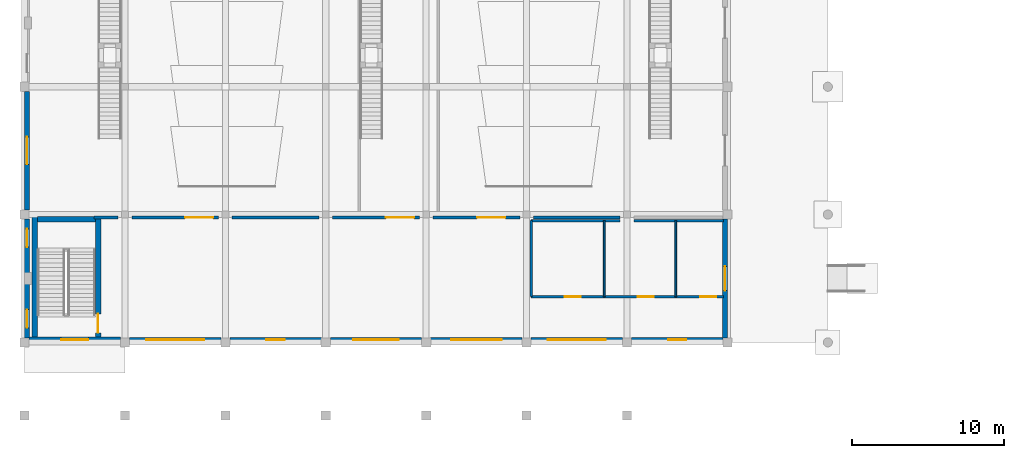
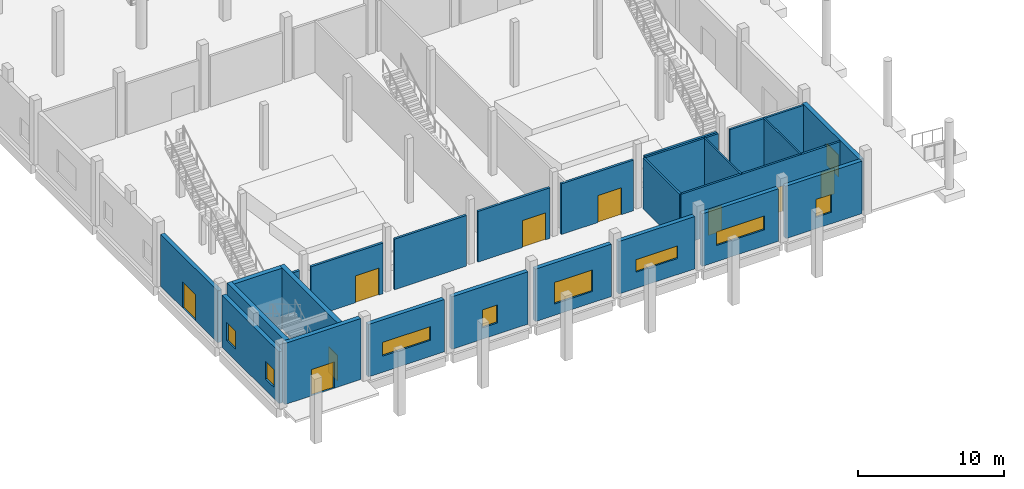
# One storey, part 40 of 64: 25 walls, 9 doors, 9 windows, 18 openings.
"""IFC4 building model written with IfcOpenShell, lengths in metres."""

from ifc_helpers import new_model, si_unit, direction, frame, frame_2d, origin, place, context, subcontext, project, spatial, rectangle, extrude, material, layer, layer_set, type_object, element, fill, save


model = new_model("IFC4")

# Units and contexts
model_context = context("Model", 3, precision=1e-05, world=origin(), true_north=direction((0.0, 1.0)))
body_context = subcontext(model_context, "Body", "Model", "MODEL_VIEW")
ifc_project = project(units=[si_unit("LENGTHUNIT", "METRE"), si_unit("AREAUNIT", "SQUARE_METRE"), si_unit("VOLUMEUNIT", "CUBIC_METRE"), si_unit("PLANEANGLEUNIT", "RADIAN"), si_unit("MASSUNIT", "GRAM", prefix="KILO")], contexts=[model_context])

# Site, building, storey
site_placement = place(None, origin())
site = spatial("IfcSite", under=ifc_project, at=site_placement, CompositionType="ELEMENT")
building_placement = place(site_placement, origin())
building = spatial("IfcBuilding", under=site, at=building_placement, Name="Qaldarim Faculty of Natural and Applied Sciences", CompositionType="ELEMENT")
storey_placement = place(building_placement, origin())
storey = spatial("IfcBuildingStorey", under=building, at=storey_placement, Name="L00", CompositionType="ELEMENT", Elevation=0.0)

# Walls
ifc_material_1 = material(Name="Painted gypsum partition board")
ifc_layer_1 = layer(ifc_material_1, 0.1201171875)
ifc_layer_set_1 = layer_set([ifc_layer_1], Name="Painted gypsum partition board")
wall_type_1 = type_object("IfcWallType", Name="AcousticPartition-120", PredefinedType="PARTITIONING", material=ifc_layer_set_1)
for number, where, z_axis, x_axis, name in (
    (1, (38.10009765625, 19.800048828125, 0.0), (0.0, 0.0, 1.0), (0.0, 1.0, 0.0), "Interior partition PRT-L00-V1-WCD1"),
    (2, (42.800048828125, 19.800048828125, 0.0), (0.0, 0.0, 1.0), (0.0, 1.0, 0.0), "Interior partition PRT-L00-V1-WCD2"),
):
    element("IfcWall", number, at=place(storey_placement, frame(where, z_axis=z_axis, x_axis=x_axis)), inside=storey, type_object=wall_type_1, Name=name, PredefinedType="PARTITIONING", context=body_context, shape_type="SweptSolid", body=[
        extrude(rectangle(XDim=5.0, YDim=0.1201171875, at=frame_2d((2.5, 0.0))), origin(), (0.0, 0.0, 1.0), 4.25),
    ])
ifc_material_2 = material(Name="Concrete C50/60", Category="concrete")
ifc_layer_2 = layer(ifc_material_2, 0.360107421875)
ifc_layer_set_2 = layer_set([ifc_layer_2], Name="Concrete C50/60")
wall_type_2 = type_object("IfcWallType", Name="CoreShearWall-360", PredefinedType="SHEAR", material=ifc_layer_set_2)
wall_1_placement = place(storey_placement, frame((0.669921875, 16.969970703125, 0.0), z_axis=(0.0, 0.0, 1.0), x_axis=(0.0, 1.0, 0.0)))
element("IfcWall", 3, at=wall_1_placement, inside=storey, type_object=wall_type_2, Name="Core stair ST-D1 west shear wall L00", PredefinedType="SHEAR", context=body_context, shape_type="SweptSolid", body=[
    extrude(rectangle(XDim=8.090087890625, YDim=0.360107421875, at=frame_2d((4.044921875, 0.0))), origin(), (0.0, 0.0, 1.0), 5.10009765625),
])

# Wall, opening, door
wall_2_placement = place(storey_placement, frame((4.830078125, 16.969970703125, 0.0), z_axis=(0.0, 0.0, 1.0), x_axis=(0.0, 1.0, 0.0)))
wall_2 = element("IfcWall", 4, at=wall_2_placement, inside=storey, type_object=wall_type_2, Name="Core stair ST-D1 east shear wall L00", PredefinedType="SHEAR", context=body_context, shape_type="SweptSolid", body=[
    extrude(rectangle(XDim=8.090087890625, YDim=0.360107421875, at=frame_2d((4.044921875, 0.0))), origin(), (0.0, 0.0, 1.0), 5.10009765625),
])
opening_1_placement = place(wall_2_placement, frame((0.449951171875, 0.0, 0.0)))
opening_1 = element("IfcOpeningElement", 5, at=opening_1_placement, cuts=wall_2, Name="Opening ID04", PredefinedType="OPENING", context=body_context, shape_type="SweptSolid", body=[
    extrude(rectangle(XDim=1.25, YDim=2.14990234375, at=frame_2d((0.625, 1.074951171875))), frame((0.0, 0.18994140625, 0.0), z_axis=(0.0, -1.0, 0.0), x_axis=(1.0, 0.0, 0.0)), (0.0, 0.0, 1.0), 0.380126953125),
])
ifc_material_3 = material(Name="Architectural stainless steel 316", Category="steel")
door_type_1 = type_object("IfcDoorType", Name="StairEnclosureFireDoor-1250x2150", OperationType="NOTDEFINED", PredefinedType="DOOR", material=ifc_material_3)
door_1_placement = place(opening_1_placement, origin())
door_1 = element("IfcDoor", 6, at=door_1_placement, inside=storey, type_object=door_type_1, Name="Protected stair ST-D1 fire door D-L00-549", OperationType="SINGLE_SWING_RIGHT", OverallHeight=2.14990234375, OverallWidth=1.25, PredefinedType="DOOR", context=body_context, shape_type="SweptSolid", body=[
    extrude(rectangle(XDim=1.25, YDim=2.14990234375, at=frame_2d((0.625, 1.074951171875))), frame((0.0, 0.02490234375, 0.0), z_axis=(0.0, -1.0, 0.0), x_axis=(1.0, 0.0, 0.0)), (0.0, 0.0, 1.0), 0.050048828125),
])
fill(opening_1, door_1)

# Wall
wall_3_placement = place(storey_placement, frame((0.85009765625, 24.8798828125, 0.0), z_axis=(0.0, 0.0, 1.0), x_axis=(1.0, 0.0, 0.0)))
element("IfcWall", 7, at=wall_3_placement, inside=storey, type_object=wall_type_2, Name="Core stair ST-D1 north shear wall L00", PredefinedType="SHEAR", context=body_context, shape_type="SweptSolid", body=[
    extrude(rectangle(XDim=3.7998046875, YDim=0.360107421875, at=frame_2d((1.89990234375, 0.0))), origin(), (0.0, 0.0, 1.0), 5.10009765625),
])

# Wall, openings, windows
ifc_material_4 = material(Name="Precast concrete C40/50", Category="concrete")
ifc_layer_3 = layer(ifc_material_4, 0.320068359375)
ifc_layer_set_3 = layer_set([ifc_layer_3], Name="Precast concrete C40/50")
wall_type_3 = type_object("IfcWallType", Name="ExteriorLimestoneWall-320", PredefinedType="SOLIDWALL", material=ifc_layer_set_3)
wall_4_placement = place(storey_placement, frame((0.159912109375, 24.905029296875, 0.0), z_axis=(0.0, 0.0, 1.0), x_axis=(0.0, -1.0, 0.0)))
wall_4 = element("IfcWall", 8, at=wall_4_placement, inside=storey, type_object=wall_type_3, Name="Exterior wall EW01 L00 W X01Y03", PredefinedType="SOLIDWALL", context=body_context, shape_type="SweptSolid", body=[
    extrude(rectangle(XDim=7.81005859375, YDim=0.320068359375, at=frame_2d((3.905029296875, 0.0))), origin(), (0.0, 0.0, 1.0), 4.3349609375),
])
opening_2_placement = place(wall_4_placement, frame((0.64990234375, 0.0, 0.949951171875)))
opening_2 = element("IfcOpeningElement", 9, at=opening_2_placement, cuts=wall_4, Name="Opening WN01", PredefinedType="OPENING", context=body_context, shape_type="SweptSolid", body=[
    extrude(rectangle(XDim=1.199951171875, YDim=1.5, at=frame_2d((0.60009765625, 0.75))), frame((0.0, 0.169921875, 0.0), z_axis=(0.0, -1.0, 0.0), x_axis=(1.0, 0.0, 0.0)), (0.0, 0.0, 1.0), 0.340087890625),
])
opening_3_placement = place(wall_4_placement, frame((5.9599609375, 0.0, 0.949951171875)))
opening_3 = element("IfcOpeningElement", 10, at=opening_3_placement, cuts=wall_4, Name="Opening WN01", PredefinedType="OPENING", context=body_context, shape_type="SweptSolid", body=[
    extrude(rectangle(XDim=1.199951171875, YDim=1.5, at=frame_2d((0.60009765625, 0.75))), frame((0.0, 0.169921875, 0.0), z_axis=(0.0, -1.0, 0.0), x_axis=(1.0, 0.0, 0.0)), (0.0, 0.0, 1.0), 0.340087890625),
])
ifc_material_5 = material(Name="Insulated low-e double glazing", Category="glass")
window_type_1 = type_object("IfcWindowType", Name="Window-1200x1500", PartitioningType="SINGLE_PANEL", PredefinedType="WINDOW", material=ifc_material_5)
window_1_placement = place(opening_2_placement, origin())
window_1 = element("IfcWindow", 11, at=window_1_placement, inside=storey, type_object=window_type_1, Name="Pilaster-bay flanking window L00 W X01Y03-1", OverallHeight=1.5, OverallWidth=1.199951171875, PartitioningType="SINGLE_PANEL", PredefinedType="WINDOW", context=body_context, shape_type="SweptSolid", body=[
    extrude(rectangle(XDim=1.199951171875, YDim=1.5, at=frame_2d((0.60009765625, 0.75))), frame((0.0, 0.030029296875, 0.0), z_axis=(0.0, -1.0, 0.0), x_axis=(1.0, 0.0, 0.0)), (0.0, 0.0, 1.0), 0.06005859375),
])
fill(opening_2, window_1)
window_2_placement = place(opening_3_placement, origin())
window_2 = element("IfcWindow", 12, at=window_2_placement, inside=storey, type_object=window_type_1, Name="Pilaster-bay flanking window L00 W X01Y03-2", OverallHeight=1.5, OverallWidth=1.199951171875, PartitioningType="SINGLE_PANEL", PredefinedType="WINDOW", context=body_context, shape_type="SweptSolid", body=[
    extrude(rectangle(XDim=1.199951171875, YDim=1.5, at=frame_2d((0.60009765625, 0.75))), frame((0.0, 0.030029296875, 0.0), z_axis=(0.0, -1.0, 0.0), x_axis=(1.0, 0.0, 0.0)), (0.0, 0.0, 1.0), 0.06005859375),
])
fill(opening_3, window_2)

# Wall, opening, door
wall_5_placement = place(storey_placement, frame((0.159912109375, 33.304931640625, 0.0), z_axis=(0.0, 0.0, 1.0), x_axis=(0.0, -1.0, 0.0)))
wall_5 = element("IfcWall", 13, at=wall_5_placement, inside=storey, type_object=wall_type_3, Name="Exterior wall EW01 L00 W X01Y04", PredefinedType="SOLIDWALL", context=body_context, shape_type="SweptSolid", body=[
    extrude(rectangle(XDim=7.809814453125, YDim=0.320068359375, at=frame_2d((3.90478515625, 0.0))), origin(), (0.0, 0.0, 1.0), 4.3349609375),
])
opening_4_placement = place(wall_5_placement, frame((3.0048828125, 0.0, 0.0)))
opening_4 = element("IfcOpeningElement", 14, at=opening_4_placement, cuts=wall_5, Name="Opening ED04", PredefinedType="OPENING", context=body_context, shape_type="SweptSolid", body=[
    extrude(rectangle(XDim=1.800048828125, YDim=2.199951171875, at=frame_2d((0.89990234375, 1.10009765625))), frame((0.0, 0.169921875, 0.0), z_axis=(0.0, -1.0, 0.0), x_axis=(1.0, 0.0, 0.0)), (0.0, 0.0, 1.0), 0.340087890625),
])
door_type_2 = type_object("IfcDoorType", Name="FinalExitDoubleDoor-1800x2200", OperationType="NOTDEFINED", PredefinedType="DOOR", material=ifc_material_3)
door_2_placement = place(opening_4_placement, frame((1.800048828125, 0.0, 0.0), z_axis=(0.0, 0.0, 1.0), x_axis=(-1.0, 0.0, 0.0)))
door_2 = element("IfcDoor", 15, at=door_2_placement, inside=storey, type_object=door_type_2, Name="Exterior entrance/exit door D-L00-002", OperationType="DOUBLE_DOOR_SINGLE_SWING", OverallHeight=2.199951171875, OverallWidth=1.800048828125, PredefinedType="DOOR", context=body_context, shape_type="SweptSolid", body=[
    extrude(rectangle(XDim=1.800048828125, YDim=2.199951171875, at=frame_2d((0.89990234375, 1.10009765625))), frame((0.0, 0.02490234375, 0.0), z_axis=(0.0, -1.0, 0.0), x_axis=(1.0, 0.0, 0.0)), (0.0, 0.0, 1.0), 0.050048828125),
])
fill(opening_4, door_2)

# Wall, opening, window
wall_6_placement = place(storey_placement, frame((6.89501953125, 16.9599609375, 0.0), z_axis=(0.0, 0.0, 1.0), x_axis=(1.0, 0.0, 0.0)))
wall_6 = element("IfcWall", 16, at=wall_6_placement, inside=storey, type_object=wall_type_3, Name="Exterior wall EW01 L00 S X02Y03", PredefinedType="SOLIDWALL", context=body_context, shape_type="SweptSolid", body=[
    extrude(rectangle(XDim=6.010009765625, YDim=0.320068359375, at=frame_2d((3.0048828125, 0.0))), origin(), (0.0, 0.0, 1.0), 4.385009765625),
])
opening_5_placement = place(wall_6_placement, frame((1.10498046875, 0.0, 1.35009765625)))
opening_5 = element("IfcOpeningElement", 17, at=opening_5_placement, cuts=wall_6, Name="Opening WN24", PredefinedType="OPENING", context=body_context, shape_type="SweptSolid", body=[
    extrude(rectangle(XDim=3.800048828125, YDim=1.14990234375, at=frame_2d((1.89990234375, 0.574951171875))), frame((0.0, 0.169921875, 0.0), z_axis=(0.0, -1.0, 0.0), x_axis=(1.0, 0.0, 0.0)), (0.0, 0.0, 1.0), 0.340087890625),
])
window_type_2 = type_object("IfcWindowType", Name="ClerestoryWindow-3800x1150", PartitioningType="TRIPLE_PANEL_HORIZONTAL", PredefinedType="WINDOW", material=ifc_material_5)
window_3_placement = place(opening_5_placement, origin())
window_3 = element("IfcWindow", 18, at=window_3_placement, inside=storey, type_object=window_type_2, Name="Facade window WN24 L00 S X02Y03", OverallHeight=1.14990234375, OverallWidth=3.800048828125, PartitioningType="SINGLE_PANEL", PredefinedType="WINDOW", context=body_context, shape_type="SweptSolid", body=[
    extrude(rectangle(XDim=3.800048828125, YDim=1.14990234375, at=frame_2d((1.89990234375, 0.574951171875))), frame((0.0, 0.030029296875, 0.0), z_axis=(0.0, -1.0, 0.0), x_axis=(1.0, 0.0, 0.0)), (0.0, 0.0, 1.0), 0.06005859375),
])
fill(opening_5, window_3)

wall_7_placement = place(storey_placement, frame((13.4951171875, 16.9599609375, 0.0), z_axis=(0.0, 0.0, 1.0), x_axis=(1.0, 0.0, 0.0)))
wall_7 = element("IfcWall", 19, at=wall_7_placement, inside=storey, type_object=wall_type_3, Name="Exterior wall EW01 L00 S X03Y03", PredefinedType="SOLIDWALL", context=body_context, shape_type="SweptSolid", body=[
    extrude(rectangle(XDim=6.009765625, YDim=0.320068359375, at=frame_2d((3.0048828125, 0.0))), origin(), (0.0, 0.0, 1.0), 4.385009765625),
])
opening_6_placement = place(wall_7_placement, frame((2.405029296875, 0.0, 0.949951171875)))
opening_6 = element("IfcOpeningElement", 20, at=opening_6_placement, cuts=wall_7, Name="Opening WN01", PredefinedType="OPENING", context=body_context, shape_type="SweptSolid", body=[
    extrude(rectangle(XDim=1.199951171875, YDim=1.5, at=frame_2d((0.60009765625, 0.75))), frame((0.0, 0.169921875, 0.0), z_axis=(0.0, -1.0, 0.0), x_axis=(1.0, 0.0, 0.0)), (0.0, 0.0, 1.0), 0.340087890625),
])
window_4_placement = place(opening_6_placement, origin())
window_4 = element("IfcWindow", 21, at=window_4_placement, inside=storey, type_object=window_type_1, Name="Facade window WN01 L00 S X03Y03", OverallHeight=1.5, OverallWidth=1.199951171875, PartitioningType="SINGLE_PANEL", PredefinedType="WINDOW", context=body_context, shape_type="SweptSolid", body=[
    extrude(rectangle(XDim=1.199951171875, YDim=1.5, at=frame_2d((0.60009765625, 0.75))), frame((0.0, 0.030029296875, 0.0), z_axis=(0.0, -1.0, 0.0), x_axis=(1.0, 0.0, 0.0)), (0.0, 0.0, 1.0), 0.06005859375),
])
fill(opening_6, window_4)

wall_8_placement = place(storey_placement, frame((20.094970703125, 16.9599609375, 0.0), z_axis=(0.0, 0.0, 1.0), x_axis=(1.0, 0.0, 0.0)))
wall_8 = element("IfcWall", 22, at=wall_8_placement, inside=storey, type_object=wall_type_3, Name="Exterior wall EW01 L00 S X04Y03", PredefinedType="SOLIDWALL", context=body_context, shape_type="SweptSolid", body=[
    extrude(rectangle(XDim=6.010009765625, YDim=0.320068359375, at=frame_2d((3.0048828125, 0.0))), origin(), (0.0, 0.0, 1.0), 4.385009765625),
])
opening_7_placement = place(wall_8_placement, frame((1.5048828125, 0.0, 0.949951171875)))
opening_7 = element("IfcOpeningElement", 23, at=opening_7_placement, cuts=wall_8, Name="Opening WN04", PredefinedType="OPENING", context=body_context, shape_type="SweptSolid", body=[
    extrude(rectangle(XDim=3.0, YDim=1.800048828125, at=frame_2d((1.5, 0.89990234375))), frame((0.0, 0.169921875, 0.0), z_axis=(0.0, -1.0, 0.0), x_axis=(1.0, 0.0, 0.0)), (0.0, 0.0, 1.0), 0.340087890625),
])
window_type_3 = type_object("IfcWindowType", Name="Window-3000x1800", PartitioningType="TRIPLE_PANEL_VERTICAL", PredefinedType="WINDOW", material=ifc_material_5)
window_5_placement = place(opening_7_placement, origin())
window_5 = element("IfcWindow", 24, at=window_5_placement, inside=storey, type_object=window_type_3, Name="Facade window WN04 L00 S X04Y03", OverallHeight=1.800048828125, OverallWidth=3.0, PartitioningType="SINGLE_PANEL", PredefinedType="WINDOW", context=body_context, shape_type="SweptSolid", body=[
    extrude(rectangle(XDim=3.0, YDim=1.800048828125, at=frame_2d((1.5, 0.89990234375))), frame((0.0, 0.030029296875, 0.0), z_axis=(0.0, -1.0, 0.0), x_axis=(1.0, 0.0, 0.0)), (0.0, 0.0, 1.0), 0.06005859375),
])
fill(opening_7, window_5)

wall_9_placement = place(storey_placement, frame((26.695068359375, 16.9599609375, 0.0), z_axis=(0.0, 0.0, 1.0), x_axis=(1.0, 0.0, 0.0)))
wall_9 = element("IfcWall", 25, at=wall_9_placement, inside=storey, type_object=wall_type_3, Name="Exterior wall EW01 L00 S X05Y03", PredefinedType="SOLIDWALL", context=body_context, shape_type="SweptSolid", body=[
    extrude(rectangle(XDim=6.010009765625, YDim=0.320068359375, at=frame_2d((3.0048828125, 0.0))), origin(), (0.0, 0.0, 1.0), 4.385009765625),
])
opening_8_placement = place(wall_9_placement, frame((1.35498046875, 0.0, 1.35009765625)))
opening_8 = element("IfcOpeningElement", 26, at=opening_8_placement, cuts=wall_9, Name="Opening WN23", PredefinedType="OPENING", context=body_context, shape_type="SweptSolid", body=[
    extrude(rectangle(XDim=3.300048828125, YDim=1.050048828125, at=frame_2d((1.64990234375, 0.52490234375))), frame((0.0, 0.169921875, 0.0), z_axis=(0.0, -1.0, 0.0), x_axis=(1.0, 0.0, 0.0)), (0.0, 0.0, 1.0), 0.340087890625),
])
window_type_4 = type_object("IfcWindowType", Name="ClerestoryWindow-3300x1050", PartitioningType="TRIPLE_PANEL_HORIZONTAL", PredefinedType="WINDOW", material=ifc_material_5)
window_6_placement = place(opening_8_placement, origin())
window_6 = element("IfcWindow", 27, at=window_6_placement, inside=storey, type_object=window_type_4, Name="Facade window WN23 L00 S X05Y03", OverallHeight=1.050048828125, OverallWidth=3.300048828125, PartitioningType="SINGLE_PANEL", PredefinedType="WINDOW", context=body_context, shape_type="SweptSolid", body=[
    extrude(rectangle(XDim=3.300048828125, YDim=1.050048828125, at=frame_2d((1.64990234375, 0.52490234375))), frame((0.0, 0.030029296875, 0.0), z_axis=(0.0, -1.0, 0.0), x_axis=(1.0, 0.0, 0.0)), (0.0, 0.0, 1.0), 0.06005859375),
])
fill(opening_8, window_6)

wall_10_placement = place(storey_placement, frame((33.294921875, 16.9599609375, 0.0), z_axis=(0.0, 0.0, 1.0), x_axis=(1.0, 0.0, 0.0)))
wall_10 = element("IfcWall", 28, at=wall_10_placement, inside=storey, type_object=wall_type_3, Name="Exterior wall EW01 L00 S X06Y03", PredefinedType="SOLIDWALL", context=body_context, shape_type="SweptSolid", body=[
    extrude(rectangle(XDim=6.010009765625, YDim=0.320068359375, at=frame_2d((3.0048828125, 0.0))), origin(), (0.0, 0.0, 1.0), 4.385009765625),
])
opening_9_placement = place(wall_10_placement, frame((1.10498046875, 0.0, 1.35009765625)))
opening_9 = element("IfcOpeningElement", 29, at=opening_9_placement, cuts=wall_10, Name="Opening WN24", PredefinedType="OPENING", context=body_context, shape_type="SweptSolid", body=[
    extrude(rectangle(XDim=3.800048828125, YDim=1.14990234375, at=frame_2d((1.89990234375, 0.574951171875))), frame((0.0, 0.169921875, 0.0), z_axis=(0.0, -1.0, 0.0), x_axis=(1.0, 0.0, 0.0)), (0.0, 0.0, 1.0), 0.340087890625),
])
window_7_placement = place(opening_9_placement, origin())
window_7 = element("IfcWindow", 30, at=window_7_placement, inside=storey, type_object=window_type_2, Name="Facade window WN24 L00 S X06Y03", OverallHeight=1.14990234375, OverallWidth=3.800048828125, PartitioningType="SINGLE_PANEL", PredefinedType="WINDOW", context=body_context, shape_type="SweptSolid", body=[
    extrude(rectangle(XDim=3.800048828125, YDim=1.14990234375, at=frame_2d((1.89990234375, 0.574951171875))), frame((0.0, 0.030029296875, 0.0), z_axis=(0.0, -1.0, 0.0), x_axis=(1.0, 0.0, 0.0)), (0.0, 0.0, 1.0), 0.06005859375),
])
fill(opening_9, window_7)

wall_11_placement = place(storey_placement, frame((39.89501953125, 16.9599609375, 0.0), z_axis=(0.0, 0.0, 1.0), x_axis=(1.0, 0.0, 0.0)))
wall_11 = element("IfcWall", 31, at=wall_11_placement, inside=storey, type_object=wall_type_3, Name="Exterior wall EW01 L00 S X07Y03", PredefinedType="SOLIDWALL", context=body_context, shape_type="SweptSolid", body=[
    extrude(rectangle(XDim=6.010009765625, YDim=0.320068359375, at=frame_2d((3.0048828125, 0.0))), origin(), (0.0, 0.0, 1.0), 4.385009765625),
])
opening_10_placement = place(wall_11_placement, frame((2.405029296875, 0.0, 0.949951171875)))
opening_10 = element("IfcOpeningElement", 32, at=opening_10_placement, cuts=wall_11, Name="Opening WN01", PredefinedType="OPENING", context=body_context, shape_type="SweptSolid", body=[
    extrude(rectangle(XDim=1.199951171875, YDim=1.5, at=frame_2d((0.60009765625, 0.75))), frame((0.0, 0.169921875, 0.0), z_axis=(0.0, -1.0, 0.0), x_axis=(1.0, 0.0, 0.0)), (0.0, 0.0, 1.0), 0.340087890625),
])
window_8_placement = place(opening_10_placement, origin())
window_8 = element("IfcWindow", 33, at=window_8_placement, inside=storey, type_object=window_type_1, Name="Facade window WN01 L00 S X07Y03", OverallHeight=1.5, OverallWidth=1.199951171875, PartitioningType="SINGLE_PANEL", PredefinedType="WINDOW", context=body_context, shape_type="SweptSolid", body=[
    extrude(rectangle(XDim=1.199951171875, YDim=1.5, at=frame_2d((0.60009765625, 0.75))), frame((0.0, 0.030029296875, 0.0), z_axis=(0.0, -1.0, 0.0), x_axis=(1.0, 0.0, 0.0)), (0.0, 0.0, 1.0), 0.06005859375),
])
fill(opening_10, window_8)

wall_12_placement = place(storey_placement, frame((46.0400390625, 17.094970703125, 0.0), z_axis=(0.0, 0.0, 1.0), x_axis=(0.0, 1.0, 0.0)))
wall_12 = element("IfcWall", 34, at=wall_12_placement, inside=storey, type_object=wall_type_3, Name="Exterior wall EW01 L00 E X07Y03", PredefinedType="SOLIDWALL", context=body_context, shape_type="SweptSolid", body=[
    extrude(rectangle(XDim=7.81005859375, YDim=0.320068359375, at=frame_2d((3.905029296875, 0.0))), origin(), (0.0, 0.0, 1.0), 4.3349609375),
])
opening_11_placement = place(wall_12_placement, frame((3.10498046875, 0.0, 0.949951171875)))
opening_11 = element("IfcOpeningElement", 35, at=opening_11_placement, cuts=wall_12, Name="Opening WN19", PredefinedType="OPENING", context=body_context, shape_type="SweptSolid", body=[
    extrude(rectangle(XDim=1.60009765625, YDim=1.85009765625, at=frame_2d((0.800048828125, 0.925048828125))), frame((0.0, 0.169921875, 0.0), z_axis=(0.0, -1.0, 0.0), x_axis=(1.0, 0.0, 0.0)), (0.0, 0.0, 1.0), 0.340087890625),
])
window_type_5 = type_object("IfcWindowType", Name="StudyWindow-1600x1850", PartitioningType="DOUBLE_PANEL_VERTICAL", PredefinedType="WINDOW", material=ifc_material_5)
window_9_placement = place(opening_11_placement, origin())
window_9 = element("IfcWindow", 36, at=window_9_placement, inside=storey, type_object=window_type_5, Name="Facade window WN19 L00 E X07Y03", OverallHeight=1.85009765625, OverallWidth=1.60009765625, PartitioningType="SINGLE_PANEL", PredefinedType="WINDOW", context=body_context, shape_type="SweptSolid", body=[
    extrude(rectangle(XDim=1.60009765625, YDim=1.85009765625, at=frame_2d((0.800048828125, 0.925048828125))), frame((0.0, 0.030029296875, 0.0), z_axis=(0.0, -1.0, 0.0), x_axis=(1.0, 0.0, 0.0)), (0.0, 0.0, 1.0), 0.06005859375),
])
fill(opening_11, window_9)

# Wall, opening, door
ifc_layer_4 = layer(ifc_material_2, 0.340087890625)
ifc_layer_set_4 = layer_set([ifc_layer_4], Name="Concrete C50/60")
wall_type_4 = type_object("IfcWallType", Name="ExteriorStairShearWall-340", PredefinedType="SHEAR", material=ifc_layer_set_4)
wall_13_placement = place(storey_placement, frame((0.294921875, 16.969970703125, 0.0), z_axis=(0.0, 0.0, 1.0), x_axis=(1.0, 0.0, 0.0)))
wall_13 = element("IfcWall", 37, at=wall_13_placement, inside=storey, type_object=wall_type_4, Name="Exterior wall EW05 L00 S X01Y03", PredefinedType="SHEAR", context=body_context, shape_type="SweptSolid", body=[
    extrude(rectangle(XDim=6.010009765625, YDim=0.340087890625, at=frame_2d((3.0048828125, 0.0))), origin(), (0.0, 0.0, 1.0), 5.10009765625),
])
opening_12_placement = place(wall_13_placement, frame((2.10498046875, 0.0, 0.0)))
opening_12 = element("IfcOpeningElement", 38, at=opening_12_placement, cuts=wall_13, Name="Opening ED04", PredefinedType="OPENING", context=body_context, shape_type="SweptSolid", body=[
    extrude(rectangle(XDim=1.800048828125, YDim=2.199951171875, at=frame_2d((0.89990234375, 1.10009765625))), frame((0.0, 0.179931640625, 0.0), z_axis=(0.0, -1.0, 0.0), x_axis=(1.0, 0.0, 0.0)), (0.0, 0.0, 1.0), 0.360107421875),
])
door_3_placement = place(opening_12_placement, frame((1.800048828125, 0.0, 0.0), z_axis=(0.0, 0.0, 1.0), x_axis=(-1.0, 0.0, 0.0)))
door_3 = element("IfcDoor", 39, at=door_3_placement, inside=storey, type_object=door_type_2, Name="Protected stair final exit door D-L00-001", OperationType="DOUBLE_DOOR_SINGLE_SWING", OverallHeight=2.199951171875, OverallWidth=1.800048828125, PredefinedType="DOOR", context=body_context, shape_type="SweptSolid", body=[
    extrude(rectangle(XDim=1.800048828125, YDim=2.199951171875, at=frame_2d((0.89990234375, 1.10009765625))), frame((0.0, 0.02490234375, 0.0), z_axis=(0.0, -1.0, 0.0), x_axis=(1.0, 0.0, 0.0)), (0.0, 0.0, 1.0), 0.050048828125),
])
fill(opening_12, door_3)

# Wall, openings, doors
ifc_material_6 = material(Name="Concrete C40/50", Category="concrete")
ifc_layer_5 = layer(ifc_material_6, 0.159912109375)
ifc_layer_set_5 = layer_set([ifc_layer_5], Name="Concrete C40/50")
wall_type_5 = type_object("IfcWallType", Name="FireCorridorWall-160", PredefinedType="PARTITIONING", material=ifc_layer_set_5)
wall_14_placement = place(storey_placement, frame((33.300048828125, 19.800048828125, 0.0), z_axis=(0.0, 0.0, 1.0), x_axis=(1.0, 0.0, 0.0)))
wall_14 = element("IfcWall", 40, at=wall_14_placement, inside=storey, type_object=wall_type_5, Name="Interior partition PRT-L00-V1-WCS", PredefinedType="PARTITIONING", context=body_context, shape_type="SweptSolid", body=[
    extrude(rectangle(XDim=12.64990234375, YDim=0.159912109375, at=frame_2d((6.324951171875, 0.0))), origin(), (0.0, 0.0, 1.0), 4.25),
])
opening_13_placement = place(wall_14_placement, frame((2.199951171875, 0.0, 0.0)))
opening_13 = element("IfcOpeningElement", 41, at=opening_13_placement, cuts=wall_14, Name="Opening ID02", PredefinedType="OPENING", context=body_context, shape_type="SweptSolid", body=[
    extrude(rectangle(XDim=1.050048828125, YDim=2.14990234375, at=frame_2d((0.52490234375, 1.074951171875))), frame((0.0, 0.08984375, 0.0), z_axis=(0.0, -1.0, 0.0), x_axis=(1.0, 0.0, 0.0)), (0.0, 0.0, 1.0), 0.179931640625),
])
opening_14_placement = place(wall_14_placement, frame((7.0, 0.0, 0.0)))
opening_14 = element("IfcOpeningElement", 42, at=opening_14_placement, cuts=wall_14, Name="Opening ID02", PredefinedType="OPENING", context=body_context, shape_type="SweptSolid", body=[
    extrude(rectangle(XDim=1.050048828125, YDim=2.14990234375, at=frame_2d((0.52490234375, 1.074951171875))), frame((0.0, 0.08984375, 0.0), z_axis=(0.0, -1.0, 0.0), x_axis=(1.0, 0.0, 0.0)), (0.0, 0.0, 1.0), 0.179931640625),
])
opening_15_placement = place(wall_14_placement, frame((11.10009765625, 0.0, 0.0)))
opening_15 = element("IfcOpeningElement", 43, at=opening_15_placement, cuts=wall_14, Name="Opening ID02", PredefinedType="OPENING", context=body_context, shape_type="SweptSolid", body=[
    extrude(rectangle(XDim=1.050048828125, YDim=2.14990234375, at=frame_2d((0.52490234375, 1.074951171875))), frame((0.0, 0.08984375, 0.0), z_axis=(0.0, -1.0, 0.0), x_axis=(1.0, 0.0, 0.0)), (0.0, 0.0, 1.0), 0.179931640625),
])
ifc_material_7 = material(Name="Oak hardwood", Category="wood")
door_type_3 = type_object("IfcDoorType", Name="AccessibleRoomDoor-1050x2150", OperationType="NOTDEFINED", PredefinedType="DOOR", material=ifc_material_7)
door_4_placement = place(opening_13_placement, origin())
door_4 = element("IfcDoor", 44, at=door_4_placement, inside=storey, type_object=door_type_3, Name="Interior door D-L00-140", OperationType="SINGLE_SWING_LEFT", OverallHeight=2.14990234375, OverallWidth=1.050048828125, PredefinedType="DOOR", context=body_context, shape_type="SweptSolid", body=[
    extrude(rectangle(XDim=1.050048828125, YDim=2.14990234375, at=frame_2d((0.52490234375, 1.074951171875))), frame((0.0, 0.02490234375, 0.0), z_axis=(0.0, -1.0, 0.0), x_axis=(1.0, 0.0, 0.0)), (0.0, 0.0, 1.0), 0.050048828125),
])
fill(opening_13, door_4)
door_5_placement = place(opening_14_placement, origin())
door_5 = element("IfcDoor", 45, at=door_5_placement, inside=storey, type_object=door_type_3, Name="Interior door D-L00-141", OperationType="SINGLE_SWING_RIGHT", OverallHeight=2.14990234375, OverallWidth=1.050048828125, PredefinedType="DOOR", context=body_context, shape_type="SweptSolid", body=[
    extrude(rectangle(XDim=1.050048828125, YDim=2.14990234375, at=frame_2d((0.52490234375, 1.074951171875))), frame((0.0, 0.02490234375, 0.0), z_axis=(0.0, -1.0, 0.0), x_axis=(1.0, 0.0, 0.0)), (0.0, 0.0, 1.0), 0.050048828125),
])
fill(opening_14, door_5)
door_6_placement = place(opening_15_placement, origin())
door_6 = element("IfcDoor", 46, at=door_6_placement, inside=storey, type_object=door_type_3, Name="Interior door D-L00-142", OperationType="SINGLE_SWING_LEFT", OverallHeight=2.14990234375, OverallWidth=1.050048828125, PredefinedType="DOOR", context=body_context, shape_type="SweptSolid", body=[
    extrude(rectangle(XDim=1.050048828125, YDim=2.14990234375, at=frame_2d((0.52490234375, 1.074951171875))), frame((0.0, 0.02490234375, 0.0), z_axis=(0.0, -1.0, 0.0), x_axis=(1.0, 0.0, 0.0)), (0.0, 0.0, 1.0), 0.050048828125),
])
fill(opening_15, door_6)

# Walls
wall_15_placement = place(storey_placement, frame((33.300048828125, 24.800048828125, 0.0), z_axis=(0.0, 0.0, 1.0), x_axis=(1.0, 0.0, 0.0)))
element("IfcWall", 47, at=wall_15_placement, inside=storey, type_object=wall_type_5, Name="Interior partition PRT-L00-V1-WCN-S1", PredefinedType="PARTITIONING", context=body_context, shape_type="SweptSolid", body=[
    extrude(rectangle(XDim=5.849853515625, YDim=0.159912109375, at=frame_2d((2.9248046875, 0.0))), origin(), (0.0, 0.0, 1.0), 4.25),
])
wall_16_placement = place(storey_placement, frame((40.050048828125, 24.800048828125, 0.0), z_axis=(0.0, 0.0, 1.0), x_axis=(1.0, 0.0, 0.0)))
element("IfcWall", 48, at=wall_16_placement, inside=storey, type_object=wall_type_5, Name="Interior partition PRT-L00-V1-WCN-S2", PredefinedType="PARTITIONING", context=body_context, shape_type="SweptSolid", body=[
    extrude(rectangle(XDim=5.89990234375, YDim=0.159912109375, at=frame_2d((2.949951171875, 0.0))), origin(), (0.0, 0.0, 1.0), 4.25),
])
wall_17_placement = place(storey_placement, frame((33.300048828125, 19.800048828125, 0.0), z_axis=(0.0, 0.0, 1.0), x_axis=(0.0, 1.0, 0.0)))
element("IfcWall", 49, at=wall_17_placement, inside=storey, type_object=wall_type_5, Name="Interior partition PRT-L00-V1-WCW", PredefinedType="PARTITIONING", context=body_context, shape_type="SweptSolid", body=[
    extrude(rectangle(XDim=5.0, YDim=0.159912109375, at=frame_2d((2.5, 0.0))), origin(), (0.0, 0.0, 1.0), 4.25),
])
ifc_layer_6 = layer(ifc_material_6, 0.179931640625)
ifc_layer_set_6 = layer_set([ifc_layer_6], Name="Concrete C40/50")
wall_type_6 = type_object("IfcWallType", Name="LabFireCompartmentWall-180", PredefinedType="SOLIDWALL", material=ifc_layer_set_6)
wall_18_placement = place(storey_placement, frame((4.550048828125, 25.0, 0.0), z_axis=(0.0, 0.0, 1.0), x_axis=(1.0, 0.0, 0.0)))
element("IfcWall", 50, at=wall_18_placement, inside=storey, type_object=wall_type_6, Name="Interior partition PRT-L00-V1-THS-S1", PredefinedType="SOLIDWALL", context=body_context, shape_type="SweptSolid", body=[
    extrude(rectangle(XDim=1.599853515625, YDim=0.179931640625, at=frame_2d((0.7998046875, 0.0))), origin(), (0.0, 0.0, 1.0), 4.235107421875),
])

# Wall, opening, door
wall_19_placement = place(storey_placement, frame((7.050048828125, 25.0, 0.0), z_axis=(0.0, 0.0, 1.0), x_axis=(1.0, 0.0, 0.0)))
wall_19 = element("IfcWall", 51, at=wall_19_placement, inside=storey, type_object=wall_type_6, Name="Interior partition PRT-L00-V1-THS-S2", PredefinedType="SOLIDWALL", context=body_context, shape_type="SweptSolid", body=[
    extrude(rectangle(XDim=5.699951171875, YDim=0.179931640625, at=frame_2d((2.85009765625, 0.0))), origin(), (0.0, 0.0, 1.0), 4.235107421875),
])
opening_16_placement = place(wall_19_placement, frame((3.5, 0.0, 0.0)))
opening_16 = element("IfcOpeningElement", 52, at=opening_16_placement, cuts=wall_19, Name="Opening ID05", PredefinedType="OPENING", context=body_context, shape_type="SweptSolid", body=[
    extrude(rectangle(XDim=1.85009765625, YDim=2.25, at=frame_2d((0.925048828125, 1.125))), frame((0.0, 0.099853515625, 0.0), z_axis=(0.0, -1.0, 0.0), x_axis=(1.0, 0.0, 0.0)), (0.0, 0.0, 1.0), 0.199951171875),
])
door_type_4 = type_object("IfcDoorType", Name="LectureDoubleDoor-1850x2250", OperationType="NOTDEFINED", PredefinedType="DOOR", material=ifc_material_7)
door_7_placement = place(opening_16_placement, origin())
door_7 = element("IfcDoor", 53, at=door_7_placement, inside=storey, type_object=door_type_4, Name="Interior door D-L00-164", OperationType="DOUBLE_DOOR_SINGLE_SWING", OverallHeight=2.25, OverallWidth=1.85009765625, PredefinedType="DOOR", context=body_context, shape_type="SweptSolid", body=[
    extrude(rectangle(XDim=1.85009765625, YDim=2.25, at=frame_2d((0.925048828125, 1.125))), frame((0.0, 0.02490234375, 0.0), z_axis=(0.0, -1.0, 0.0), x_axis=(1.0, 0.0, 0.0)), (0.0, 0.0, 1.0), 0.050048828125),
])
fill(opening_16, door_7)

# Wall
wall_20_placement = place(storey_placement, frame((13.64990234375, 25.0, 0.0), z_axis=(0.0, 0.0, 1.0), x_axis=(1.0, 0.0, 0.0)))
element("IfcWall", 54, at=wall_20_placement, inside=storey, type_object=wall_type_6, Name="Interior partition PRT-L00-V1-THS-S3", PredefinedType="SOLIDWALL", context=body_context, shape_type="SweptSolid", body=[
    extrude(rectangle(XDim=5.7001953125, YDim=0.179931640625, at=frame_2d((2.85009765625, 0.0))), origin(), (0.0, 0.0, 1.0), 4.235107421875),
])

# Wall, opening, door
wall_21_placement = place(storey_placement, frame((20.25, 25.0, 0.0), z_axis=(0.0, 0.0, 1.0), x_axis=(1.0, 0.0, 0.0)))
wall_21 = element("IfcWall", 55, at=wall_21_placement, inside=storey, type_object=wall_type_6, Name="Interior partition PRT-L00-V1-THS-S4", PredefinedType="SOLIDWALL", context=body_context, shape_type="SweptSolid", body=[
    extrude(rectangle(XDim=5.699951171875, YDim=0.179931640625, at=frame_2d((2.85009765625, 0.0))), origin(), (0.0, 0.0, 1.0), 4.235107421875),
])
opening_17_placement = place(wall_21_placement, frame((3.5, 0.0, 0.0)))
opening_17 = element("IfcOpeningElement", 56, at=opening_17_placement, cuts=wall_21, Name="Opening ID05", PredefinedType="OPENING", context=body_context, shape_type="SweptSolid", body=[
    extrude(rectangle(XDim=1.85009765625, YDim=2.25, at=frame_2d((0.925048828125, 1.125))), frame((0.0, 0.099853515625, 0.0), z_axis=(0.0, -1.0, 0.0), x_axis=(1.0, 0.0, 0.0)), (0.0, 0.0, 1.0), 0.199951171875),
])
door_8_placement = place(opening_17_placement, origin())
door_8 = element("IfcDoor", 57, at=door_8_placement, inside=storey, type_object=door_type_4, Name="Interior door D-L00-165", OperationType="DOUBLE_DOOR_SINGLE_SWING", OverallHeight=2.25, OverallWidth=1.85009765625, PredefinedType="DOOR", context=body_context, shape_type="SweptSolid", body=[
    extrude(rectangle(XDim=1.85009765625, YDim=2.25, at=frame_2d((0.925048828125, 1.125))), frame((0.0, 0.02490234375, 0.0), z_axis=(0.0, -1.0, 0.0), x_axis=(1.0, 0.0, 0.0)), (0.0, 0.0, 1.0), 0.050048828125),
])
fill(opening_17, door_8)

wall_22_placement = place(storey_placement, frame((26.85009765625, 25.0, 0.0), z_axis=(0.0, 0.0, 1.0), x_axis=(1.0, 0.0, 0.0)))
wall_22 = element("IfcWall", 58, at=wall_22_placement, inside=storey, type_object=wall_type_6, Name="Interior partition PRT-L00-V1-THS-S5", PredefinedType="SOLIDWALL", context=body_context, shape_type="SweptSolid", body=[
    extrude(rectangle(XDim=5.699951171875, YDim=0.179931640625, at=frame_2d((2.85009765625, 0.0))), origin(), (0.0, 0.0, 1.0), 4.235107421875),
])
opening_18_placement = place(wall_22_placement, frame((2.89990234375, 0.0, 0.0)))
opening_18 = element("IfcOpeningElement", 59, at=opening_18_placement, cuts=wall_22, Name="Opening ID05", PredefinedType="OPENING", context=body_context, shape_type="SweptSolid", body=[
    extrude(rectangle(XDim=1.85009765625, YDim=2.25, at=frame_2d((0.925048828125, 1.125))), frame((0.0, 0.099853515625, 0.0), z_axis=(0.0, -1.0, 0.0), x_axis=(1.0, 0.0, 0.0)), (0.0, 0.0, 1.0), 0.199951171875),
])
door_9_placement = place(opening_18_placement, origin())
door_9 = element("IfcDoor", 60, at=door_9_placement, inside=storey, type_object=door_type_4, Name="Interior door D-L00-166", OperationType="DOUBLE_DOOR_SINGLE_SWING", OverallHeight=2.25, OverallWidth=1.85009765625, PredefinedType="DOOR", context=body_context, shape_type="SweptSolid", body=[
    extrude(rectangle(XDim=1.85009765625, YDim=2.25, at=frame_2d((0.925048828125, 1.125))), frame((0.0, 0.02490234375, 0.0), z_axis=(0.0, -1.0, 0.0), x_axis=(1.0, 0.0, 0.0)), (0.0, 0.0, 1.0), 0.050048828125),
])
fill(opening_18, door_9)

# Wall
wall_23_placement = place(storey_placement, frame((33.449951171875, 25.0, 0.0), z_axis=(0.0, 0.0, 1.0), x_axis=(1.0, 0.0, 0.0)))
element("IfcWall", 61, at=wall_23_placement, inside=storey, type_object=wall_type_6, Name="Interior partition PRT-L00-V1-THS-S6", PredefinedType="SOLIDWALL", context=body_context, shape_type="SweptSolid", body=[
    extrude(rectangle(XDim=5.699951171875, YDim=0.179931640625, at=frame_2d((2.85009765625, 0.0))), origin(), (0.0, 0.0, 1.0), 4.235107421875),
])

save(model, "model.ifc")
